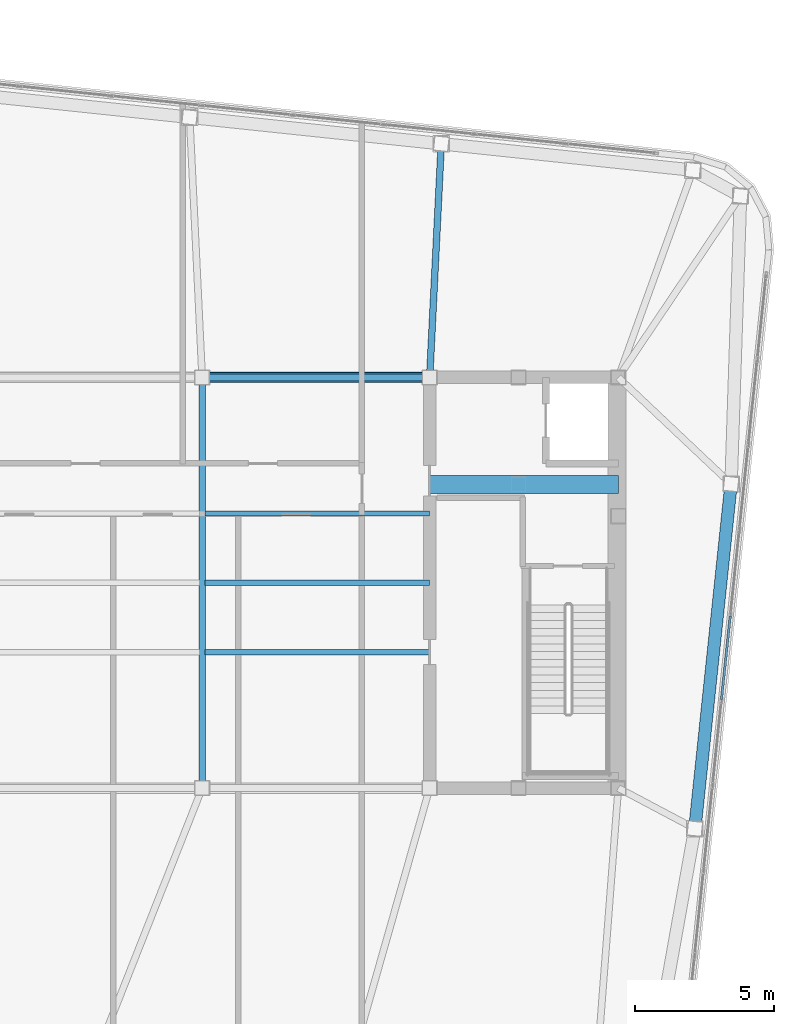
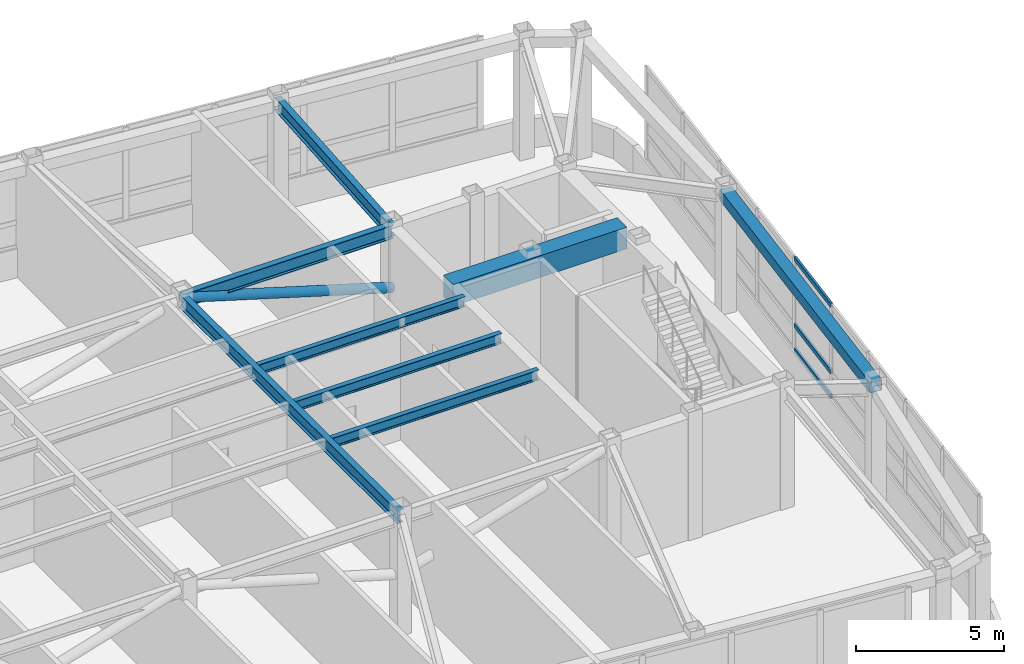
# One storey, part 12 of 23: 8 beams, 4 members, 1 element without a shape of its own.
"""IFC4 building model written with IfcOpenShell, lengths in metres."""

from ifc_helpers import new_model, si_unit, direction, frame, origin, origin_2d, place, context, subcontext, project, spatial, rectangle, hollow_rectangle, hollow_circle, i_section, extrude, material, layer, layer_set, material_profile, profile_set, type_object, element, aggregate, save


model = new_model("IFC4")

# Units and contexts
model_context = context("Model", 3, precision=1e-05, world=origin(), true_north=direction((0.0, 1.0)))
body_context = subcontext(model_context, "Body", "Model", "MODEL_VIEW")
ifc_project = project(units=[si_unit("LENGTHUNIT", "METRE"), si_unit("AREAUNIT", "SQUARE_METRE"), si_unit("VOLUMEUNIT", "CUBIC_METRE"), si_unit("PLANEANGLEUNIT", "RADIAN"), si_unit("MASSUNIT", "GRAM", prefix="KILO")], contexts=[model_context])

# Site, building, storey
site_placement = place(None, origin())
site = spatial("IfcSite", under=ifc_project, at=site_placement, CompositionType="ELEMENT")
building_placement = place(site_placement, origin())
building = spatial("IfcBuilding", under=site, at=building_placement, Name="Voryun Gate Residences", CompositionType="ELEMENT")
storey_placement = place(building_placement, frame((0.0, 0.0, 326.60009765625)))
storey = spatial("IfcBuildingStorey", under=building, at=storey_placement, Name="L80", CompositionType="ELEMENT", Elevation=326.60009765625)

# Beams
ifc_material_1 = material(Name="Concrete C60/75", Category="concrete")
ifc_material_profile_1 = material_profile(ifc_material_1, rectangle(XDim=0.64990234375, YDim=0.89990234375, at=origin_2d()), Name="RC-650x900")
ifc_profile_set_1 = profile_set([ifc_material_profile_1], Name="Concrete C60/75")
beam_type_1 = type_object("IfcBeamType", Name="BM_COUP_RC900", PredefinedType="LINTEL", material=ifc_profile_set_1)
beam_1_placement = place(storey_placement, frame((12.39990234375, 3.550048828125, 4.574951171875), z_axis=(1.0, 0.0, 0.0), x_axis=(0.0, 1.0, 0.0)))
element("IfcBeam", 1, at=beam_1_placement, inside=storey, type_object=beam_type_1, Name="BM-L80-EC1", PredefinedType="LINTEL", context=body_context, shape_type="SweptSolid", body=[
    extrude(rectangle(XDim=0.64990234375, YDim=0.89990234375, at=origin_2d()), origin(), (0.0, 0.0, 1.0), 6.800048828125),
])
ifc_material_2 = material(Name="Steel SM355", Category="steel")
ifc_material_profile_2 = material_profile(ifc_material_2, hollow_rectangle(XDim=0.449951171875, YDim=0.449951171875, WallThickness=0.01806640625, at=origin_2d()), Name="BOX-450x450x18")
ifc_profile_set_2 = profile_set([ifc_material_profile_2], Name="Steel SM355")
beam_type_2 = type_object("IfcBeamType", Name="BM_CROWN_RING", PredefinedType="BEAM", material=ifc_profile_set_2)
beam_2_placement = place(storey_placement, frame((21.958251953125, -8.861572265625, 4.7998046875), z_axis=(0.104519973049, 0.99452278769, 0.0), x_axis=(-0.99452278769, 0.104519973049, 0.0)))
element("IfcBeam", 2, at=beam_2_placement, inside=storey, type_object=beam_type_2, Name="BM-L80-SPAND-08", PredefinedType="BEAM", context=body_context, shape_type="SweptSolid", body=[
    extrude(hollow_rectangle(XDim=0.449951171875, YDim=0.449951171875, WallThickness=0.01806640625, at=origin_2d()), origin(), (0.0, 0.0, 1.0), 12.491943359375),
])
ifc_material_3 = material(Name="Steel SM355", Category="steel")
ifc_material_profile_3 = material_profile(ifc_material_3, i_section(OverallWidth=0.239990234375, OverallDepth=0.550048828125, WebThickness=0.011962890625, FlangeThickness=0.02001953125, FilletRadius=0.01806640625, at=origin_2d()), Name="H-550x240x12x20")
ifc_profile_set_3 = profile_set([ifc_material_profile_3], Name="Steel SM355")
beam_type_3 = type_object("IfcBeamType", Name="BM_GIRD_550", PredefinedType="USERDEFINED", material=ifc_profile_set_3)
beam_3_placement = place(storey_placement, frame((4.199951171875, 7.39990234375, 4.75), z_axis=(1.0, 0.0, 0.0), x_axis=(0.0, 1.0, 0.0)))
element("IfcBeam", 3, at=beam_3_placement, inside=storey, type_object=beam_type_3, Name="BM-L80-SPG3-N", ObjectType="GIRDER", PredefinedType="USERDEFINED", context=body_context, shape_type="SweptSolid", body=[
    extrude(i_section(OverallWidth=0.239990234375, OverallDepth=0.550048828125, WebThickness=0.011962890625, FlangeThickness=0.02001953125, FilletRadius=0.01806640625, at=origin_2d()), origin(), (0.0, 0.0, 1.0), 8.199951171875),
])
beam_4_placement = place(storey_placement, frame((4.199951171875, -7.39990234375, 4.75), z_axis=(0.0, 1.0, 0.0), x_axis=(-1.0, 0.0, 0.0)))
element("IfcBeam", 4, at=beam_4_placement, inside=storey, type_object=beam_type_3, Name="BM-L80-SPX-E", ObjectType="GIRDER", PredefinedType="USERDEFINED", context=body_context, shape_type="SweptSolid", body=[
    extrude(i_section(OverallWidth=0.239990234375, OverallDepth=0.550048828125, WebThickness=0.011962890625, FlangeThickness=0.02001953125, FilletRadius=0.01806640625, at=origin_2d()), origin(), (0.0, 0.0, 1.0), 14.7998046875),
])
beam_5_placement = place(storey_placement, frame((12.39990234375, 7.39990234375, 4.75), z_axis=(0.049635922604, 0.998767377915, 0.0), x_axis=(-0.998767377915, 0.049635922604, 0.0)))
element("IfcBeam", 5, at=beam_5_placement, inside=storey, type_object=beam_type_3, Name="BM-L80-RAD-N2", ObjectType="GIRDER", PredefinedType="USERDEFINED", context=body_context, shape_type="SweptSolid", body=[
    extrude(i_section(OverallWidth=0.239990234375, OverallDepth=0.550048828125, WebThickness=0.011962890625, FlangeThickness=0.02001953125, FilletRadius=0.01806640625, at=origin_2d()), origin(), (0.0, 0.0, 1.0), 8.435546875),
])
ifc_material_4 = material(Name="Steel SM355", Category="steel")
ifc_material_profile_4 = material_profile(ifc_material_4, i_section(OverallWidth=0.18994140625, OverallDepth=0.419921875, WebThickness=0.009033203125, FlangeThickness=0.01611328125, FilletRadius=0.01806640625, at=origin_2d()), Name="H-420x190x9x16")
ifc_profile_set_4 = profile_set([ifc_material_profile_4], Name="Steel SM355")
beam_type_4 = type_object("IfcBeamType", Name="BM_SEC_420", PredefinedType="BEAM", material=ifc_profile_set_4)
for number, where, z_axis, x_axis, name in (
    (6, (4.300048828125, -2.5, 4.81494140625), (1.0, 0.0, 0.0), (0.0, 1.0, 0.0), "BM-L80-SEC-CS3"),
    (7, (4.300048828125, 0.0, 4.81494140625), (1.0, 0.0, 0.0), (0.0, 1.0, 0.0), "BM-L80-SEC-CM3"),
    (8, (4.300048828125, 2.5, 4.81494140625), (1.0, 0.0, 0.0), (0.0, 1.0, 0.0), "BM-L80-SEC-CN3"),
):
    element("IfcBeam", number, at=place(storey_placement, frame(where, z_axis=z_axis, x_axis=x_axis)), inside=storey, type_object=beam_type_4, Name=name, PredefinedType="BEAM", context=body_context, shape_type="SweptSolid", body=[
        extrude(i_section(OverallWidth=0.18994140625, OverallDepth=0.419921875, WebThickness=0.009033203125, FlangeThickness=0.01611328125, FilletRadius=0.01806640625, at=origin_2d()), origin(), (0.0, 0.0, 1.0), 8.099853515625),
    ])

# Curtain wall, members
ifc_material_5 = material(Name="Anodised aluminium", Category="aluminium")
ifc_layer = layer(ifc_material_5, 0.22998046875, Name="CW_SYS_LANTERN_DARK_GLASS")
ifc_layer_set = layer_set([ifc_layer], Name="Anodised aluminium")
curtain_wall_type = type_object("IfcCurtainWallType", Name="CW_SYS_LANTERN_DARK_GLASS", PredefinedType="NOTDEFINED", material=ifc_layer_set)
curtain_wall_placement = place(storey_placement, origin())
curtain_wall = element("IfcCurtainWall", 9, at=curtain_wall_placement, inside=storey, type_object=curtain_wall_type, Name="Curtain wall CW6-L80-16", PredefinedType="NOTDEFINED")
ifc_material_6 = material(Name="Anodised aluminium", Category="aluminium")
ifc_material_profile_5 = material_profile(ifc_material_6, hollow_rectangle(XDim=0.0849609375, YDim=0.18994140625, WallThickness=0.006103515625, at=origin_2d()), Name="ALU-TRAN-190x85x6")
ifc_profile_set_5 = profile_set([ifc_material_profile_5], Name="Anodised aluminium")
member_type_1 = type_object("IfcMemberType", Name="CW_TRAN_LANT", PredefinedType="USERDEFINED", material=ifc_profile_set_5)
member_1_placement = place(storey_placement, frame((23.23681640625, -1.193359375, 1.219970703125), z_axis=(-0.104500100479, -0.994524876009, 0.0), x_axis=(0.994524876009, -0.104500100479, 0.0)))
member_1 = element("IfcMember", 10, at=member_1_placement, type_object=member_type_1, Name="CW6 transom 5.1", ObjectType="TRANSOM", PredefinedType="USERDEFINED", context=body_context, shape_type="SweptSolid", body=[
    extrude(hollow_rectangle(XDim=0.0849609375, YDim=0.18994140625, WallThickness=0.006103515625, at=origin_2d()), origin(), (0.0, 0.0, 1.0), 3.02783203125),
])
member_2_placement = place(storey_placement, frame((23.23681640625, -1.193359375, 2.239990234375), z_axis=(-0.104500100479, -0.994524876009, 0.0), x_axis=(0.994524876009, -0.104500100479, 0.0)))
member_2 = element("IfcMember", 11, at=member_2_placement, type_object=member_type_1, Name="CW6 transom 5.2", ObjectType="TRANSOM", PredefinedType="USERDEFINED", context=body_context, shape_type="SweptSolid", body=[
    extrude(hollow_rectangle(XDim=0.0849609375, YDim=0.18994140625, WallThickness=0.006103515625, at=origin_2d()), origin(), (0.0, 0.0, 1.0), 3.02783203125),
])
member_3_placement = place(storey_placement, frame((23.23681640625, -1.193359375, 4.994873046875), z_axis=(-0.104500100479, -0.994524876009, 0.0), x_axis=(0.994524876009, -0.104500100479, 0.0)))
member_3 = element("IfcMember", 12, at=member_3_placement, type_object=member_type_1, Name="CW6 transom 5.3", ObjectType="TRANSOM", PredefinedType="USERDEFINED", context=body_context, shape_type="SweptSolid", body=[
    extrude(hollow_rectangle(XDim=0.0849609375, YDim=0.18994140625, WallThickness=0.006103515625, at=origin_2d()), origin(), (0.0, 0.0, 1.0), 3.02783203125),
])
aggregate(curtain_wall, [member_1, member_2, member_3])

# Member
ifc_material_7 = material(Name="Steel SM355", Category="steel")
ifc_material_profile_6 = material_profile(ifc_material_7, hollow_circle(Radius=0.18994140625, WallThickness=0.01806640625, at=origin_2d()), Name="CHS-380x18")
ifc_profile_set_6 = profile_set([ifc_material_profile_6], Name="Steel SM355")
member_type_2 = type_object("IfcMemberType", Name="MBR_CROWN_DIAGRID", PredefinedType="BRACE", material=ifc_profile_set_6)
member_4_placement = place(storey_placement, frame((12.39990234375, 7.39990234375, 2.3798828125), z_axis=(-0.957662114733, 0.0, 0.287894553621), x_axis=(0.0, -1.0, 0.0)))
element("IfcMember", 13, at=member_4_placement, inside=storey, type_object=member_type_2, Name="L80 Lantern Spine Diagrid Brace 06", PredefinedType="BRACE", context=body_context, shape_type="SweptSolid", body=[
    extrude(hollow_circle(Radius=0.18994140625, WallThickness=0.01806640625, at=origin_2d()), origin(), (0.0, 0.0, 1.0), 8.5625),
])

save(model, "model.ifc")
